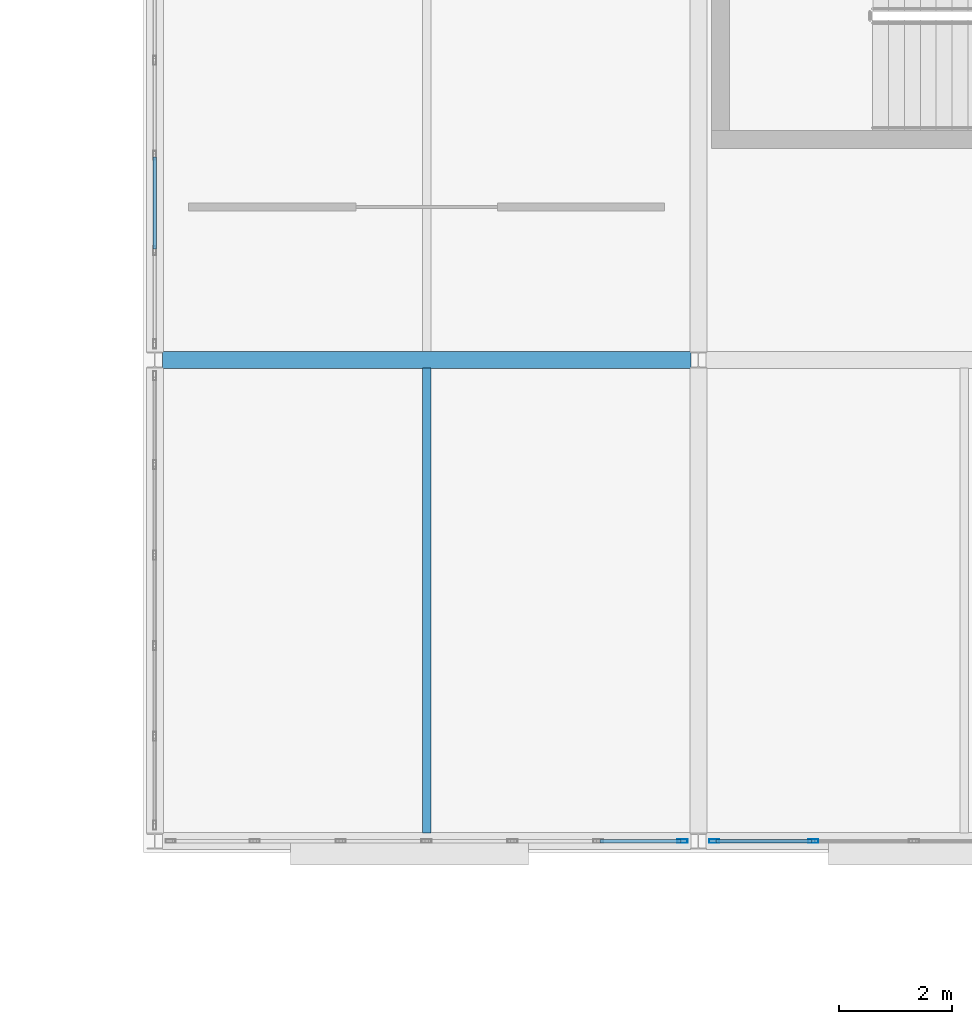
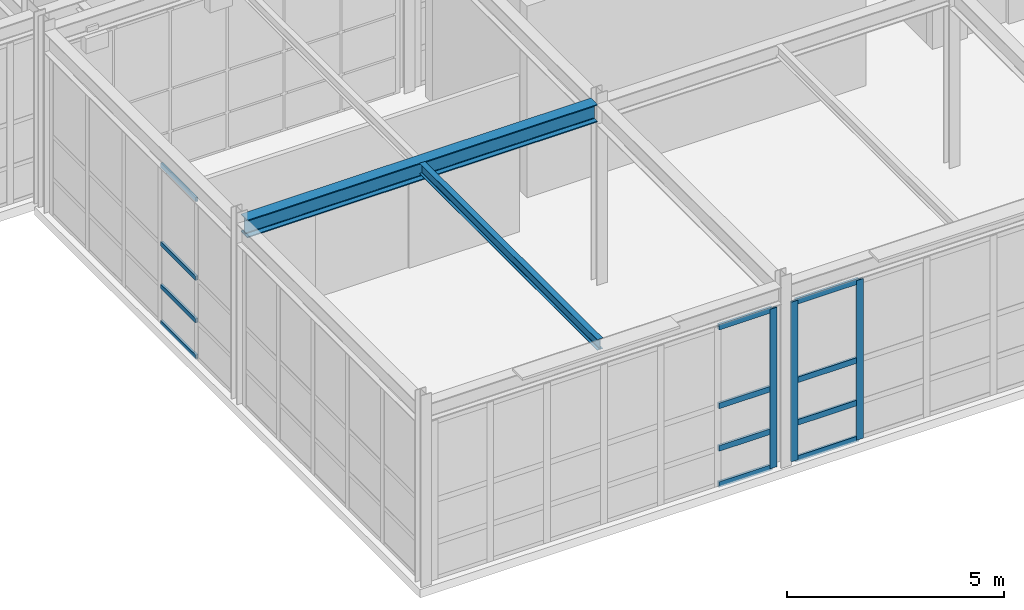
# One storey, part 139 of 239: 15 members, 2 beams, 3 elements without a shape of their own.
"""IFC4 building model written with IfcOpenShell, lengths in metres."""

from ifc_helpers import new_model, si_unit, direction, frame, origin, origin_2d, place, context, subcontext, project, spatial, hollow_rectangle, i_section, extrude, material, material_profile, profile_set, type_object, element, aggregate, save


model = new_model("IFC4")

# Units and contexts
model_context = context("Model", 3, precision=1e-05, world=origin(), true_north=direction((0.0, 1.0)))
body_context = subcontext(model_context, "Body", "Model", "MODEL_VIEW")
ifc_project = project(units=[si_unit("LENGTHUNIT", "METRE"), si_unit("AREAUNIT", "SQUARE_METRE"), si_unit("VOLUMEUNIT", "CUBIC_METRE"), si_unit("PLANEANGLEUNIT", "RADIAN"), si_unit("MASSUNIT", "GRAM", prefix="KILO")], contexts=[model_context])

# Site, building, storey
site_placement = place(None, origin())
site = spatial("IfcSite", under=ifc_project, at=site_placement, CompositionType="ELEMENT")
building_placement = place(site_placement, origin())
building = spatial("IfcBuilding", under=site, at=building_placement, Name="Kaldris Quays Convention Centre", CompositionType="ELEMENT")
storey_placement = place(building_placement, frame((0.0, 0.0, 11.39990234375)))
storey = spatial("IfcBuildingStorey", under=building, at=storey_placement, Name="L02", CompositionType="ELEMENT", Elevation=11.39990234375)

# Curtain wall, member
ifc_material_1 = material(Name="Anodized aluminium AW-6060 and triple glazing", Category="aluminium")
curtain_wall_type = type_object("IfcCurtainWallType", Name="UNITISED CURTAIN WALL CW02", PredefinedType="NOTDEFINED", material=ifc_material_1)
curtain_wall_1_placement = place(storey_placement, origin())
curtain_wall_1 = element("IfcCurtainWall", 1, at=curtain_wall_1_placement, inside=storey, type_object=curtain_wall_type, Name="L02 Unitised Curtain Wall CW02 199", PredefinedType="NOTDEFINED")
ifc_material_2 = material(Name="Anodized aluminium AW-6060", Category="aluminium")
ifc_material_profile_1 = material_profile(ifc_material_2, hollow_rectangle(XDim=0.06005859375, YDim=0.179931640625, WallThickness=0.0048828125, at=origin_2d()), Name="RHS 180x60x5")
ifc_profile_set_1 = profile_set([ifc_material_profile_1], Name="Anodized aluminium AW-6060")
member_type_1 = type_object("IfcMemberType", Name="CURTAIN MULLION CWM2", PredefinedType="MULLION", material=ifc_profile_set_1)
member_1_placement = place(storey_placement, frame((164.320068359375, 20.0, 0.0), z_axis=(0.0, 0.0, 1.0), x_axis=(0.0, 1.0, 0.0)))
member_1 = element("IfcMember", 2, at=member_1_placement, type_object=member_type_1, Name="CW02 mullion 7", PredefinedType="MULLION", context=body_context, shape_type="SweptSolid", body=[
    extrude(hollow_rectangle(XDim=0.06005859375, YDim=0.179931640625, WallThickness=0.0048828125, at=origin_2d()), origin(), (0.0, 0.0, 1.0), 4.498046875),
])

# Curtain wall, members
curtain_wall_2_placement = place(storey_placement, origin())
curtain_wall_2 = element("IfcCurtainWall", 3, at=curtain_wall_2_placement, inside=storey, type_object=curtain_wall_type, Name="L02 Unitised Curtain Wall CW02 201", PredefinedType="NOTDEFINED")
member_2_placement = place(storey_placement, frame((164.8798828125, 20.0, 0.0), z_axis=(0.0, 0.0, 1.0), x_axis=(0.0, 1.0, 0.0)))
member_2 = element("IfcMember", 4, at=member_2_placement, type_object=member_type_1, Name="CW02 mullion 1", PredefinedType="MULLION", context=body_context, shape_type="SweptSolid", body=[
    extrude(hollow_rectangle(XDim=0.06005859375, YDim=0.179931640625, WallThickness=0.0048828125, at=origin_2d()), origin(), (0.0, 0.0, 1.0), 4.498046875),
])
member_3_placement = place(storey_placement, frame((166.6298828125, 20.0, 0.0), z_axis=(0.0, 0.0, 1.0), x_axis=(0.0, 1.0, 0.0)))
member_3 = element("IfcMember", 5, at=member_3_placement, type_object=member_type_1, Name="CW02 mullion 2", PredefinedType="MULLION", context=body_context, shape_type="SweptSolid", body=[
    extrude(hollow_rectangle(XDim=0.06005859375, YDim=0.179931640625, WallThickness=0.0048828125, at=origin_2d()), origin(), (0.0, 0.0, 1.0), 4.498046875),
])

curtain_wall_3_placement = place(storey_placement, origin())
curtain_wall_3 = element("IfcCurtainWall", 6, at=curtain_wall_3_placement, inside=storey, type_object=curtain_wall_type, Name="L02 Unitised Curtain Wall CW02 211", PredefinedType="NOTDEFINED")
ifc_material_profile_2 = material_profile(ifc_material_2, hollow_rectangle(XDim=0.06005859375, YDim=0.1201171875, WallThickness=0.00390625, at=origin_2d()), Name="RHS 120x60x4")
ifc_profile_set_2 = profile_set([ifc_material_profile_2], Name="Anodized aluminium AW-6060")
member_type_2 = type_object("IfcMemberType", Name="CURTAIN TRANSOM CWT1", PredefinedType="USERDEFINED", material=ifc_profile_set_2)
member_4_placement = place(storey_placement, frame((155.0, 30.4599609375, 0.030029296875), z_axis=(0.0, 1.0, 0.0), x_axis=(-1.0, 0.0, 0.0)))
member_4 = element("IfcMember", 7, at=member_4_placement, type_object=member_type_2, Name="CW02 transom 2.1", ObjectType="TRANSOM", PredefinedType="USERDEFINED", context=body_context, shape_type="SweptSolid", body=[
    extrude(hollow_rectangle(XDim=0.06005859375, YDim=0.1201171875, WallThickness=0.00390625, at=origin_2d()), origin(), (0.0, 0.0, 1.0), 1.6201171875),
])
member_5_placement = place(storey_placement, frame((155.0, 30.4599609375, 1.050048828125), z_axis=(0.0, 1.0, 0.0), x_axis=(-1.0, 0.0, 0.0)))
member_5 = element("IfcMember", 8, at=member_5_placement, type_object=member_type_2, Name="CW02 transom 2.2", ObjectType="TRANSOM", PredefinedType="USERDEFINED", context=body_context, shape_type="SweptSolid", body=[
    extrude(hollow_rectangle(XDim=0.06005859375, YDim=0.1201171875, WallThickness=0.00390625, at=origin_2d()), origin(), (0.0, 0.0, 1.0), 1.6201171875),
])
member_6_placement = place(storey_placement, frame((155.0, 30.4599609375, 2.2490234375), z_axis=(0.0, 1.0, 0.0), x_axis=(-1.0, 0.0, 0.0)))
member_6 = element("IfcMember", 9, at=member_6_placement, type_object=member_type_2, Name="CW02 transom 2.3", ObjectType="TRANSOM", PredefinedType="USERDEFINED", context=body_context, shape_type="SweptSolid", body=[
    extrude(hollow_rectangle(XDim=0.06005859375, YDim=0.1201171875, WallThickness=0.00390625, at=origin_2d()), origin(), (0.0, 0.0, 1.0), 1.6201171875),
])
member_7_placement = place(storey_placement, frame((155.0, 30.4599609375, 4.468017578125), z_axis=(0.0, 1.0, 0.0), x_axis=(-1.0, 0.0, 0.0)))
member_7 = element("IfcMember", 10, at=member_7_placement, type_object=member_type_2, Name="CW02 transom 2.4", ObjectType="TRANSOM", PredefinedType="USERDEFINED", context=body_context, shape_type="SweptSolid", body=[
    extrude(hollow_rectangle(XDim=0.06005859375, YDim=0.1201171875, WallThickness=0.00390625, at=origin_2d()), origin(), (0.0, 0.0, 1.0), 1.6201171875),
])
aggregate(curtain_wall_3, [member_4, member_5, member_6, member_7])

# Member
ifc_material_profile_3 = material_profile(ifc_material_2, hollow_rectangle(XDim=0.06005859375, YDim=0.159912109375, WallThickness=0.00390625, at=origin_2d()), Name="RHS 160x60x4")
ifc_profile_set_3 = profile_set([ifc_material_profile_3], Name="Anodized aluminium AW-6060")
member_type_3 = type_object("IfcMemberType", Name="CURTAIN TRANSOM CWT2", PredefinedType="USERDEFINED", material=ifc_profile_set_3)
member_8_placement = place(storey_placement, frame((162.86328125, 20.0, 0.030029296875), z_axis=(1.0, 0.0, 0.0), x_axis=(0.0, 1.0, 0.0)))
member_8 = element("IfcMember", 11, at=member_8_placement, type_object=member_type_3, Name="CW02 transom 6.1", ObjectType="TRANSOM", PredefinedType="USERDEFINED", context=body_context, shape_type="SweptSolid", body=[
    extrude(hollow_rectangle(XDim=0.06005859375, YDim=0.159912109375, WallThickness=0.00390625, at=origin_2d()), origin(), (0.0, 0.0, 1.0), 1.4267578125),
])

member_9_placement = place(storey_placement, frame((162.86328125, 20.0, 1.050048828125), z_axis=(1.0, 0.0, 0.0), x_axis=(0.0, 1.0, 0.0)))
member_9 = element("IfcMember", 12, at=member_9_placement, type_object=member_type_3, Name="CW02 transom 6.2", ObjectType="TRANSOM", PredefinedType="USERDEFINED", context=body_context, shape_type="SweptSolid", body=[
    extrude(hollow_rectangle(XDim=0.06005859375, YDim=0.159912109375, WallThickness=0.00390625, at=origin_2d()), origin(), (0.0, 0.0, 1.0), 1.4267578125),
])

member_10_placement = place(storey_placement, frame((162.86328125, 20.0, 2.2490234375), z_axis=(1.0, 0.0, 0.0), x_axis=(0.0, 1.0, 0.0)))
member_10 = element("IfcMember", 13, at=member_10_placement, type_object=member_type_3, Name="CW02 transom 6.3", ObjectType="TRANSOM", PredefinedType="USERDEFINED", context=body_context, shape_type="SweptSolid", body=[
    extrude(hollow_rectangle(XDim=0.06005859375, YDim=0.159912109375, WallThickness=0.00390625, at=origin_2d()), origin(), (0.0, 0.0, 1.0), 1.4267578125),
])

member_11_placement = place(storey_placement, frame((162.86328125, 20.0, 4.468017578125), z_axis=(1.0, 0.0, 0.0), x_axis=(0.0, 1.0, 0.0)))
member_11 = element("IfcMember", 14, at=member_11_placement, type_object=member_type_3, Name="CW02 transom 6.4", ObjectType="TRANSOM", PredefinedType="USERDEFINED", context=body_context, shape_type="SweptSolid", body=[
    extrude(hollow_rectangle(XDim=0.06005859375, YDim=0.159912109375, WallThickness=0.00390625, at=origin_2d()), origin(), (0.0, 0.0, 1.0), 1.4267578125),
])

aggregate(curtain_wall_1, [member_1, member_8, member_9, member_10, member_11])

member_12_placement = place(storey_placement, frame((164.909912109375, 20.0, 0.030029296875), z_axis=(1.0, 0.0, 0.0), x_axis=(0.0, 1.0, 0.0)))
member_12 = element("IfcMember", 15, at=member_12_placement, type_object=member_type_3, Name="CW02 transom 1.1", ObjectType="TRANSOM", PredefinedType="USERDEFINED", context=body_context, shape_type="SweptSolid", body=[
    extrude(hollow_rectangle(XDim=0.06005859375, YDim=0.159912109375, WallThickness=0.00390625, at=origin_2d()), origin(), (0.0, 0.0, 1.0), 1.690185546875),
])

member_13_placement = place(storey_placement, frame((164.909912109375, 20.0, 1.050048828125), z_axis=(1.0, 0.0, 0.0), x_axis=(0.0, 1.0, 0.0)))
member_13 = element("IfcMember", 16, at=member_13_placement, type_object=member_type_3, Name="CW02 transom 1.2", ObjectType="TRANSOM", PredefinedType="USERDEFINED", context=body_context, shape_type="SweptSolid", body=[
    extrude(hollow_rectangle(XDim=0.06005859375, YDim=0.159912109375, WallThickness=0.00390625, at=origin_2d()), origin(), (0.0, 0.0, 1.0), 1.690185546875),
])

member_14_placement = place(storey_placement, frame((164.909912109375, 20.0, 2.2490234375), z_axis=(1.0, 0.0, 0.0), x_axis=(0.0, 1.0, 0.0)))
member_14 = element("IfcMember", 17, at=member_14_placement, type_object=member_type_3, Name="CW02 transom 1.3", ObjectType="TRANSOM", PredefinedType="USERDEFINED", context=body_context, shape_type="SweptSolid", body=[
    extrude(hollow_rectangle(XDim=0.06005859375, YDim=0.159912109375, WallThickness=0.00390625, at=origin_2d()), origin(), (0.0, 0.0, 1.0), 1.690185546875),
])

member_15_placement = place(storey_placement, frame((164.909912109375, 20.0, 4.468017578125), z_axis=(1.0, 0.0, 0.0), x_axis=(0.0, 1.0, 0.0)))
member_15 = element("IfcMember", 18, at=member_15_placement, type_object=member_type_3, Name="CW02 transom 1.4", ObjectType="TRANSOM", PredefinedType="USERDEFINED", context=body_context, shape_type="SweptSolid", body=[
    extrude(hollow_rectangle(XDim=0.06005859375, YDim=0.159912109375, WallThickness=0.00390625, at=origin_2d()), origin(), (0.0, 0.0, 1.0), 1.690185546875),
])

aggregate(curtain_wall_2, [member_2, member_3, member_12, member_13, member_14, member_15])

# Beams
ifc_material_3 = material(Name="Steel S355J2", Category="steel")
ifc_material_profile_4 = material_profile(ifc_material_3, i_section(OverallWidth=0.300048828125, OverallDepth=0.5, WebThickness=0.014404296875, FlangeThickness=0.028076171875, FilletRadius=0.027099609375, at=origin_2d()), Name="HEB 500")
ifc_profile_set_4 = profile_set([ifc_material_profile_4], Name="Steel S355J2")
beam_type_1 = type_object("IfcBeamType", Name="STRUCTURAL BEAM BM06", PredefinedType="BEAM", material=ifc_profile_set_4)
beam_1_placement = place(storey_placement, frame((155.134033203125, 28.5, 4.863037109375), z_axis=(1.0, 0.0, 0.0), x_axis=(0.0, 1.0, 0.0)))
element("IfcBeam", 19, at=beam_1_placement, inside=storey, type_object=beam_type_1, Name="L02 Girder BM06 6", PredefinedType="BEAM", context=body_context, shape_type="SweptSolid", body=[
    extrude(i_section(OverallWidth=0.300048828125, OverallDepth=0.5, WebThickness=0.014404296875, FlangeThickness=0.028076171875, FilletRadius=0.027099609375, at=origin_2d()), origin(), (0.0, 0.0, 1.0), 9.33203125),
])
ifc_material_profile_5 = material_profile(ifc_material_3, i_section(OverallWidth=0.14990234375, OverallDepth=0.300048828125, WebThickness=0.007080078125, FlangeThickness=0.0107421875, FilletRadius=0.014892578125, at=origin_2d()), Name="IPE 300")
ifc_profile_set_5 = profile_set([ifc_material_profile_5], Name="Steel S355J2")
beam_type_2 = type_object("IfcBeamType", Name="STRUCTURAL BEAM JT04", PredefinedType="JOIST", material=ifc_profile_set_5)
beam_2_placement = place(storey_placement, frame((159.800048828125, 20.14404296875, 4.963134765625), z_axis=(0.0, 1.0, 0.0), x_axis=(-1.0, 0.0, 0.0)))
element("IfcBeam", 20, at=beam_2_placement, inside=storey, type_object=beam_type_2, Name="L02 Secondary Joist JT04 1", PredefinedType="JOIST", context=body_context, shape_type="SweptSolid", body=[
    extrude(i_section(OverallWidth=0.14990234375, OverallDepth=0.300048828125, WebThickness=0.007080078125, FlangeThickness=0.0107421875, FilletRadius=0.014892578125, at=origin_2d()), origin(), (0.0, 0.0, 1.0), 8.2119140625),
])

save(model, "model.ifc")
